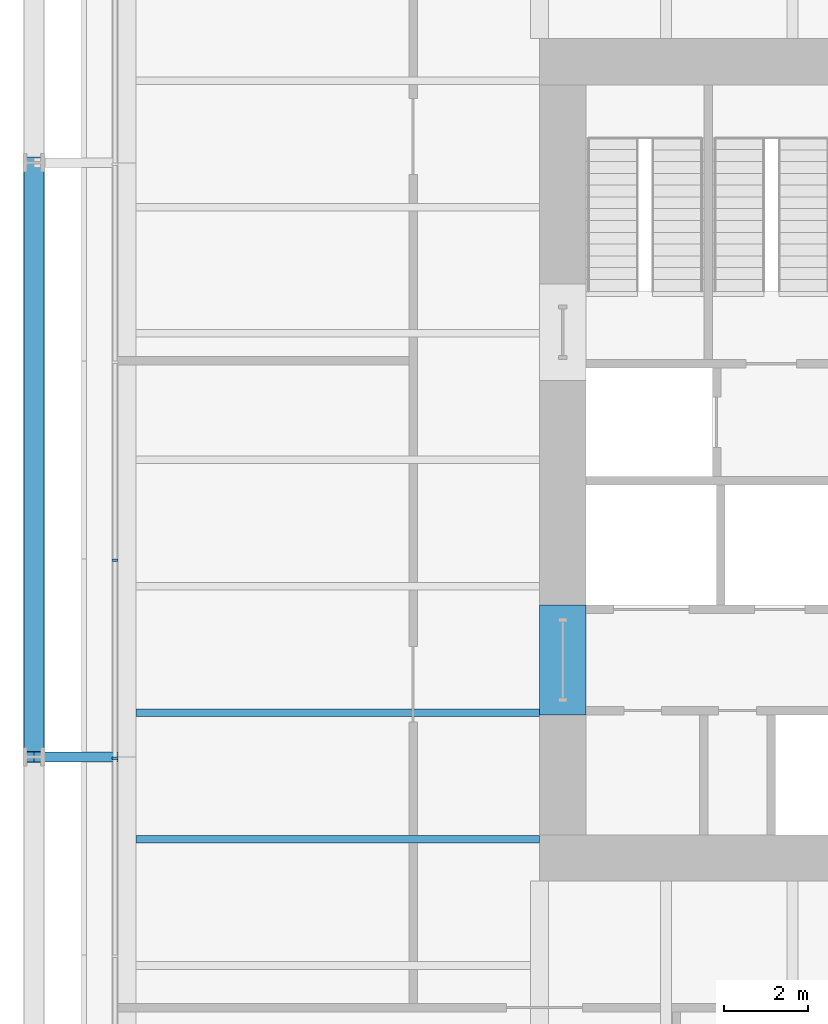
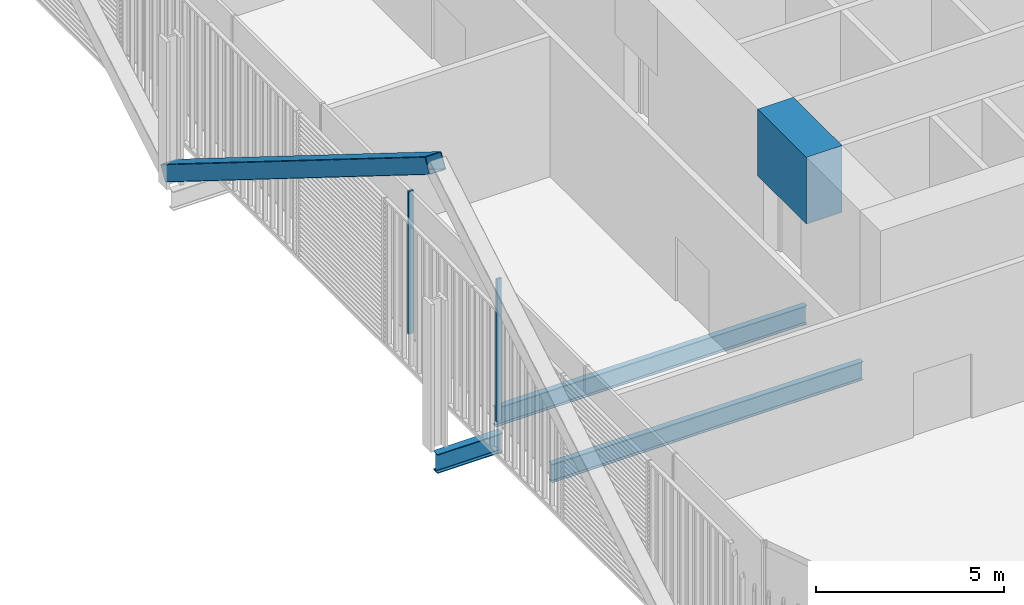
# One storey, part 5 of 22: 4 beams, 3 members, 1 element without a shape of its own.
"""IFC4 building model written with IfcOpenShell, lengths in metres."""

from ifc_helpers import new_model, si_unit, direction, frame, origin, origin_2d, place, context, subcontext, project, spatial, rectangle, hollow_rectangle, i_section, extrude, material, layer, layer_set, material_profile, profile_set, type_object, element, aggregate, save


model = new_model("IFC4")

# Units and contexts
model_context = context("Model", 3, precision=1e-05, world=origin(), true_north=direction((0.0, 1.0)))
body_context = subcontext(model_context, "Body", "Model", "MODEL_VIEW")
ifc_project = project(units=[si_unit("LENGTHUNIT", "METRE"), si_unit("AREAUNIT", "SQUARE_METRE"), si_unit("VOLUMEUNIT", "CUBIC_METRE"), si_unit("PLANEANGLEUNIT", "RADIAN"), si_unit("MASSUNIT", "GRAM", prefix="KILO")], contexts=[model_context])

# Site, building, storey
site_placement = place(None, origin())
site = spatial("IfcSite", under=ifc_project, at=site_placement, CompositionType="ELEMENT")
building_placement = place(site_placement, origin())
building = spatial("IfcBuilding", under=site, at=building_placement, Name="Millrace Tower", CompositionType="ELEMENT")
storey_placement = place(building_placement, frame((0.0, 0.0, 20.89990234375)))
storey = spatial("IfcBuildingStorey", under=building, at=storey_placement, Name="L05", CompositionType="ELEMENT", Elevation=20.89990234375)

# Curtain wall, members
ifc_material_1 = material(Name="Aluminium and glass", Category="aluminium")
ifc_layer = layer(ifc_material_1, 0.14990234375)
ifc_layer_set = layer_set([ifc_layer], Name="Aluminium and glass")
curtain_wall_type = type_object("IfcCurtainWallType", Name="CW-2 data hall insulated curtain wall", PredefinedType="NOTDEFINED", material=ifc_layer_set)
curtain_wall_placement = place(storey_placement, origin())
curtain_wall = element("IfcCurtainWall", 1, at=curtain_wall_placement, inside=storey, type_object=curtain_wall_type, Name="Curtain wall A-F08 L05", PredefinedType="NOTDEFINED")
ifc_material_2 = material(Name="Aluminium", Category="aluminium")
ifc_material_profile_1 = material_profile(ifc_material_2, rectangle(XDim=0.06494140625, YDim=0.14990234375, at=origin_2d()))
ifc_profile_set_1 = profile_set([ifc_material_profile_1], Name="Aluminium")
member_type_1 = type_object("IfcMemberType", Name="CW-2 data hall insulated curtain wall mullion", PredefinedType="MULLION", material=ifc_profile_set_1)
member_1_placement = place(storey_placement, frame((-25.074951171875, -2.382568359375, 0.16015625), z_axis=(0.0, 0.0, 1.0), x_axis=(0.0, -1.0, 0.0)))
member_1 = element("IfcMember", 2, at=member_1_placement, type_object=member_type_1, Name="CW2 mullion A-F08.6", PredefinedType="MULLION", context=body_context, shape_type="SweptSolid", body=[
    extrude(rectangle(XDim=0.06494140625, YDim=0.14990234375, at=origin_2d()), origin(), (0.0, 0.0, 1.0), 4.639892578125),
])
member_2_placement = place(storey_placement, frame((-25.074951171875, -7.08251953125, 0.16015625), z_axis=(0.0, 0.0, 1.0), x_axis=(0.0, -1.0, 0.0)))
member_2 = element("IfcMember", 3, at=member_2_placement, type_object=member_type_1, Name="CW2 mullion A-F08.7", PredefinedType="MULLION", context=body_context, shape_type="SweptSolid", body=[
    extrude(rectangle(XDim=0.06494140625, YDim=0.14990234375, at=origin_2d()), origin(), (0.0, 0.0, 1.0), 4.639892578125),
])
aggregate(curtain_wall, [member_1, member_2])

# Beam
ifc_material_3 = material(Name="Concrete C80", Category="concrete")
ifc_material_profile_2 = material_profile(ifc_material_3, rectangle(XDim=1.10009765625, YDim=2.175048828125, at=origin_2d()))
ifc_profile_set_2 = profile_set([ifc_material_profile_2], Name="Concrete C80")
beam_type_1 = type_object("IfcBeamType", Name="Coupling beam 1100 x 2175 Concrete C80, 2000 opening", PredefinedType="BEAM", material=ifc_profile_set_2)
beam_1_placement = place(storey_placement, frame((-14.449951171875, -6.050048828125, 3.487548828125), z_axis=(0.0, 1.0, 0.0), x_axis=(-1.0, 0.0, 0.0)))
element("IfcBeam", 4, at=beam_1_placement, inside=storey, type_object=beam_type_1, Name="Coupling beam W L05", PredefinedType="BEAM", context=body_context, shape_type="SweptSolid", body=[
    extrude(rectangle(XDim=1.10009765625, YDim=2.175048828125, at=origin_2d()), origin(), (0.0, 0.0, 1.0), 2.60009765625),
])

# Member
ifc_material_4 = material(Name="Steel ASTM A500 Grade C", Category="steel")
ifc_material_profile_3 = material_profile(ifc_material_4, hollow_rectangle(XDim=0.508056640625, YDim=0.508056640625, WallThickness=0.022216796875, InnerFilletRadius=0.01123046875, OuterFilletRadius=0.033447265625, at=origin_2d()))
ifc_profile_set_3 = profile_set([ifc_material_profile_3], Name="Steel ASTM A500 Grade C")
member_type_2 = type_object("IfcMemberType", Name="Exoskeleton brace HSS20x20x7/8", PredefinedType="BRACE", material=ifc_profile_set_3)
member_3_placement = place(storey_placement, frame((-27.0, 7.050048828125, 0.400146484375), z_axis=(0.0, -0.848336468551, 0.529457492276), x_axis=(1.0, 0.0, 0.0)))
element("IfcMember", 5, at=member_3_placement, inside=storey, type_object=member_type_2, Name="BRC-A-L05-15", PredefinedType="BRACE", context=body_context, shape_type="SweptSolid", body=[
    extrude(hollow_rectangle(XDim=0.508056640625, YDim=0.508056640625, WallThickness=0.022216796875, InnerFilletRadius=0.01123046875, OuterFilletRadius=0.033447265625, at=origin_2d()), origin(), (0.0, 0.0, 1.0), 16.620849609375),
])

# Beams
ifc_material_5 = material(Name="Steel ASTM A992 Grade 50", Category="steel")
ifc_material_profile_4 = material_profile(ifc_material_5, i_section(OverallWidth=0.1787109375, OverallDepth=0.60205078125, WebThickness=0.010986328125, FlangeThickness=0.014892578125, FilletRadius=0.0126953125, at=origin_2d()))
ifc_profile_set_4 = profile_set([ifc_material_profile_4], Name="Steel ASTM A992 Grade 50")
beam_type_2 = type_object("IfcBeamType", Name="Floor beam W24x62", PredefinedType="JOIST", material=ifc_profile_set_4)
for number, where, z_axis, x_axis, name in (
    (6, (-24.578369140625, -9.0, -0.52587890625), (1.0, 0.0, 0.0), (0.0, 1.0, 0.0), "BM-A-L05-S1-S012"),
    (7, (-24.578369140625, -6.0, -0.52587890625), (1.0, 0.0, 0.0), (0.0, 1.0, 0.0), "BM-A-L05-S1-S015"),
):
    element("IfcBeam", number, at=place(storey_placement, frame(where, z_axis=z_axis, x_axis=x_axis)), inside=storey, type_object=beam_type_2, Name=name, PredefinedType="JOIST", context=body_context, shape_type="SweptSolid", body=[
        extrude(i_section(OverallWidth=0.1787109375, OverallDepth=0.60205078125, WebThickness=0.010986328125, FlangeThickness=0.014892578125, FilletRadius=0.0126953125, at=origin_2d()), origin(), (0.0, 0.0, 1.0), 9.578369140625),
    ])
ifc_material_6 = material(Name="Steel ASTM A992 Grade 50", Category="steel")
ifc_material_profile_5 = material_profile(ifc_material_6, i_section(OverallWidth=0.23046875, OverallDepth=0.6171875, WebThickness=0.01318359375, FlangeThickness=0.022216796875, FilletRadius=0.012939453125, at=origin_2d()))
ifc_profile_set_5 = profile_set([ifc_material_profile_5], Name="Steel ASTM A992 Grade 50")
beam_type_3 = type_object("IfcBeamType", Name="Link beam W24x94", PredefinedType="BEAM", material=ifc_profile_set_5)
beam_2_placement = place(storey_placement, frame((-25.0, -7.050048828125, -0.533447265625), z_axis=(-1.0, 0.0, 0.0), x_axis=(0.0, -1.0, 0.0)))
element("IfcBeam", 8, at=beam_2_placement, inside=storey, type_object=beam_type_3, Name="LNK-A-L05-S1-02", PredefinedType="BEAM", context=body_context, shape_type="SweptSolid", body=[
    extrude(i_section(OverallWidth=0.23046875, OverallDepth=0.6171875, WebThickness=0.01318359375, FlangeThickness=0.022216796875, FilletRadius=0.012939453125, at=origin_2d()), origin(), (0.0, 0.0, 1.0), 2.0),
])

save(model, "model.ifc")
